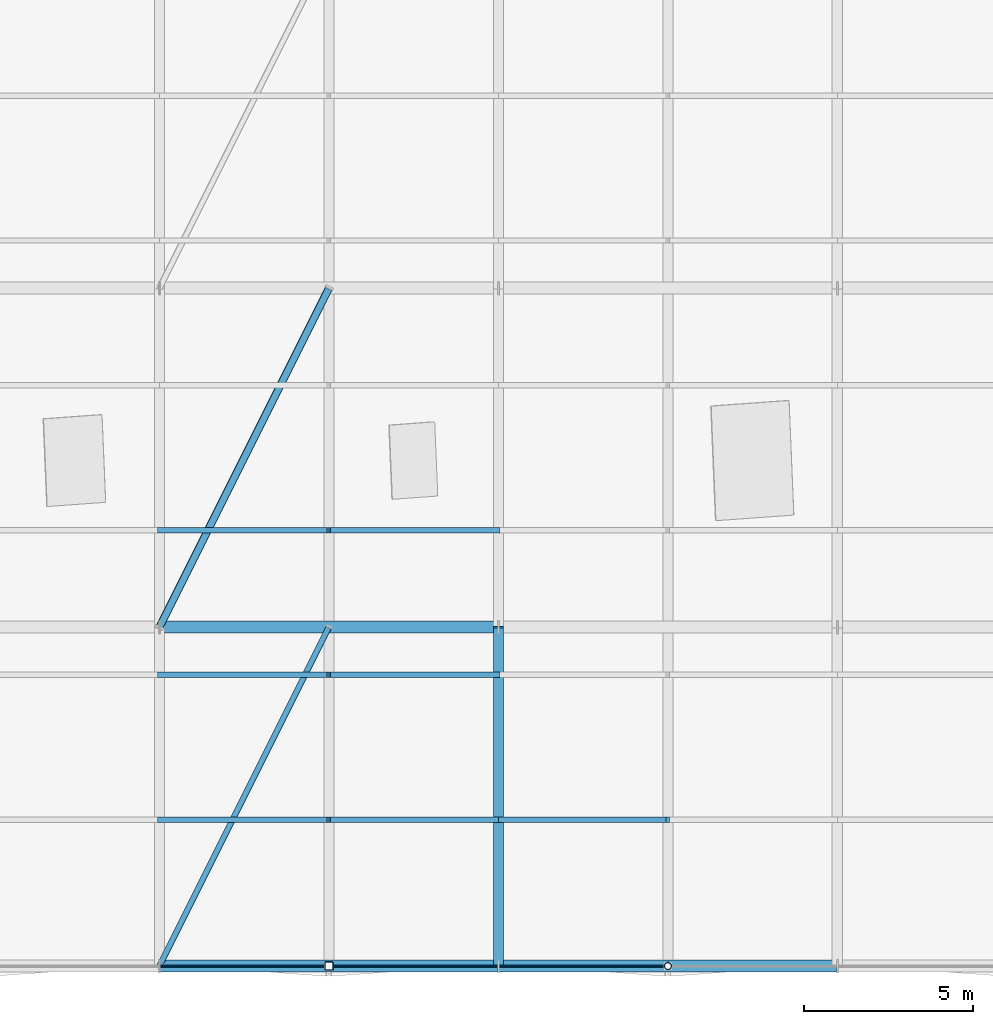
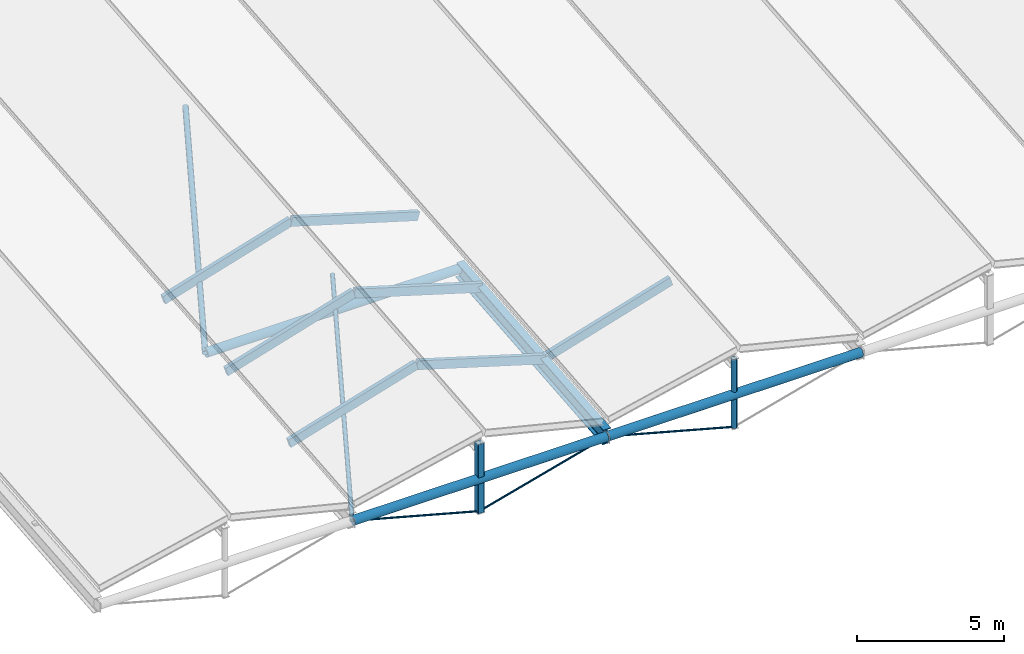
# One storey, part 13 of 90: 14 members, 4 beams.
"""IFC4 building model written with IfcOpenShell, lengths in metres."""

from ifc_helpers import new_model, si_unit, direction, frame, origin, origin_2d, place, context, subcontext, project, spatial, rectangle, hollow_rectangle, circle, hollow_circle, i_section, extrude, material, material_profile, profile_set, type_object, element, save


model = new_model("IFC4")

# Units and contexts
model_context = context("Model", 3, precision=1e-05, world=origin(), true_north=direction((0.0, 1.0)))
body_context = subcontext(model_context, "Body", "Model", "MODEL_VIEW")
ifc_project = project(units=[si_unit("LENGTHUNIT", "METRE"), si_unit("AREAUNIT", "SQUARE_METRE"), si_unit("VOLUMEUNIT", "CUBIC_METRE"), si_unit("PLANEANGLEUNIT", "RADIAN"), si_unit("MASSUNIT", "GRAM", prefix="KILO"), si_unit("THERMODYNAMICTEMPERATUREUNIT", "KELVIN"), si_unit("POWERUNIT", "WATT")], contexts=[model_context])

# Site, building, storey
site_placement = place(None, origin())
site = spatial("IfcSite", under=ifc_project, at=site_placement, CompositionType="ELEMENT")
building_placement = place(site_placement, origin())
building = spatial("IfcBuilding", under=site, at=building_placement, Name="Korenveer Ferry Terminal", CompositionType="ELEMENT")
storey_placement = place(building_placement, frame((0.0, 0.0, 22.199951171875)))
storey = spatial("IfcBuildingStorey", under=building, at=storey_placement, Name="RF", CompositionType="ELEMENT", Elevation=22.199951171875)

# Beam
ifc_material_1 = material(Name="Steel S355", Category="steel")
ifc_material_profile_1 = material_profile(ifc_material_1, i_section(OverallWidth=0.300048828125, OverallDepth=0.64990234375, WebThickness=0.01611328125, FlangeThickness=0.031005859375, FilletRadius=0.027099609375, at=origin_2d()), Name="HEB 650")
ifc_profile_set_1 = profile_set([ifc_material_profile_1], Name="Steel S355")
beam_type_1 = type_object("IfcBeamType", Name="STR-BM-HEB650", PredefinedType="BEAM", material=ifc_profile_set_1)
beam_placement = place(storey_placement, frame((73.0, 20.0, -11.401611328125), z_axis=(0.0, 0.995903364261, 0.090423940715), x_axis=(-1.0, 0.0, 0.0)))
element("IfcBeam", 1, at=beam_placement, inside=storey, type_object=beam_type_1, Name="Folded roof valley girder 28", PredefinedType="BEAM", context=body_context, shape_type="SweptSolid", body=[
    extrude(i_section(OverallWidth=0.300048828125, OverallDepth=0.64990234375, WebThickness=0.01611328125, FlangeThickness=0.031005859375, FilletRadius=0.027099609375, at=origin_2d()), origin(), (0.0, 0.0, 1.0), 10.041015625),
])

# Members
ifc_material_profile_2 = material_profile(ifc_material_1, hollow_circle(Radius=0.084228515625, WallThickness=0.010009765625, at=origin_2d()), Name="CHS 168.3x10")
ifc_profile_set_2 = profile_set([ifc_material_profile_2], Name="Steel S355")
member_type_1 = type_object("IfcMemberType", Name="STR-BRC-CHS168", PredefinedType="BRACE", material=ifc_profile_set_2)
member_1_placement = place(storey_placement, frame((63.0, 20.0, -11.401611328125), z_axis=(0.437110045644, 0.874220091289, 0.211362342872), x_axis=(-0.894427191, 0.4472135955, 0.0)))
element("IfcMember", 2, at=member_1_placement, inside=storey, type_object=member_type_1, Name="Roof wind brace BRCRF-B1-Y20", PredefinedType="BRACE", context=body_context, shape_type="SweptSolid", body=[
    extrude(hollow_circle(Radius=0.084228515625, WallThickness=0.010009765625, at=origin_2d()), origin(), (0.0, 0.0, 1.0), 11.438720703125),
])
ifc_material_profile_3 = material_profile(ifc_material_1, hollow_circle(Radius=0.109619140625, WallThickness=0.012451171875, at=origin_2d()), Name="CHS 219.1x12.5")
ifc_profile_set_3 = profile_set([ifc_material_profile_3], Name="Steel S355")
member_type_2 = type_object("IfcMemberType", Name="STR-BRC-CHS219", PredefinedType="BRACE", material=ifc_profile_set_3)
member_2_placement = place(storey_placement, frame((63.0, 30.0, -10.49365234375), z_axis=(0.437110045644, 0.874220091289, 0.211362342872), x_axis=(-0.894427191, 0.4472135955, 0.0)))
element("IfcMember", 3, at=member_2_placement, inside=storey, type_object=member_type_2, Name="Roof wind brace BRCRF-B1-Y30", PredefinedType="BRACE", context=body_context, shape_type="SweptSolid", body=[
    extrude(hollow_circle(Radius=0.109619140625, WallThickness=0.012451171875, at=origin_2d()), origin(), (0.0, 0.0, 1.0), 11.438720703125),
])
ifc_material_2 = material(Name="High-strength steel S460", Category="steel")
ifc_material_profile_4 = material_profile(ifc_material_2, circle(Radius=0.0380859375, at=origin_2d()), Name="ROD D76")
ifc_profile_set_4 = profile_set([ifc_material_profile_4], Name="High-strength steel S460")
member_type_3 = type_object("IfcMemberType", Name="STR-CBL-D76", PredefinedType="USERDEFINED", material=ifc_profile_set_4)
for number, where, z_axis, x_axis, name in (
    (4, (63.0, 20.0, -11.401611328125), (0.965424337217, 0.0, -0.260683426993), (0.0, 1.0, 0.0), "Roof tension tie cable 3"),
    (5, (73.0, 20.0, -11.401611328125), (-0.965424337217, 0.0, -0.260683426993), (0.0, -1.0, 0.0), "Roof tension tie cable 4"),
    (6, (73.0, 20.0, -11.401611328125), (0.965424337217, 0.0, -0.260683426993), (0.0, 1.0, 0.0), "Roof tension tie cable 5"),
):
    element("IfcMember", number, at=place(storey_placement, frame(where, z_axis=z_axis, x_axis=x_axis)), inside=storey, type_object=member_type_3, Name=name, ObjectType="CABLE", PredefinedType="USERDEFINED", context=body_context, shape_type="SweptSolid", body=[
        extrude(circle(Radius=0.0380859375, at=origin_2d()), origin(), (0.0, 0.0, 1.0), 5.178955078125),
    ])
ifc_material_3 = material(Name="Glulam GL28h", Category="wood")
ifc_material_profile_5 = material_profile(ifc_material_3, rectangle(XDim=0.159912109375, YDim=0.360107421875, at=origin_2d()), Name="GL 160x360")
ifc_profile_set_5 = profile_set([ifc_material_profile_5], Name="Glulam GL28h")
member_type_4 = type_object("IfcMemberType", Name="STR-PUR-GL160", PredefinedType="PURLIN", material=ifc_profile_set_5)
for number, where, z_axis, x_axis, name in (
    (7, (63.0, 24.321533203125, -10.787841796875), (0.957323074362, 0.0, 0.289019949647), (0.0, 1.0, 0.0), "Folded roof glulam purlin 37"),
    (8, (63.0, 28.5927734375, -10.400146484375), (0.957310140112, 0.0, 0.289062788401), (0.0, 1.0, 0.0), "Folded roof glulam purlin 38"),
    (9, (63.0, 32.8642578125, -10.01220703125), (0.957310140112, 0.0, 0.289062788401), (0.0, 1.0, 0.0), "Folded roof glulam purlin 39"),
    (10, (68.0, 24.321533203125, -9.2783203125), (0.957323074362, 0.0, -0.289019949647), (0.0, 1.0, 0.0), "Folded roof glulam purlin 43"),
    (11, (68.0, 28.5927734375, -8.890380859375), (0.957310140112, 0.0, -0.289062788401), (0.0, 1.0, 0.0), "Folded roof glulam purlin 44"),
    (12, (68.0, 32.8642578125, -8.50244140625), (0.957310140112, 0.0, -0.289062788401), (0.0, 1.0, 0.0), "Folded roof glulam purlin 45"),
    (13, (73.0, 24.321533203125, -10.787841796875), (0.957323074362, 0.0, 0.289019949647), (0.0, 1.0, 0.0), "Folded roof glulam purlin 73"),
):
    element("IfcMember", number, at=place(storey_placement, frame(where, z_axis=z_axis, x_axis=x_axis)), inside=storey, type_object=member_type_4, Name=name, PredefinedType="PURLIN", context=body_context, shape_type="SweptSolid", body=[
        extrude(rectangle(XDim=0.159912109375, YDim=0.360107421875, at=origin_2d()), origin(), (0.0, 0.0, 1.0), 5.222900390625),
    ])

# Beams
ifc_material_profile_6 = material_profile(ifc_material_1, hollow_circle(Radius=0.177734375, WallThickness=0.01611328125, at=origin_2d()), Name="CHS 355.6x16")
ifc_profile_set_6 = profile_set([ifc_material_profile_6], Name="Steel S355")
beam_type_2 = type_object("IfcBeamType", Name="STR-RFG-CHS355", PredefinedType="USERDEFINED", material=ifc_profile_set_6)
for number, where, z_axis, x_axis, name in (
    (14, (63.02001953125, 20.0, -11.401611328125), (1.0, 0.0, 0.0), (0.0, 1.0, 0.0), "Roof transverse tie girder 76"),
    (15, (73.02001953125, 20.0, -11.401611328125), (1.0, 0.0, 0.0), (0.0, 1.0, 0.0), "Roof transverse tie girder 77"),
    (16, (63.02001953125, 30.0, -10.49365234375), (1.0, 0.0, 0.0), (0.0, 1.0, 0.0), "Roof transverse tie girder 83"),
):
    element("IfcBeam", number, at=place(storey_placement, frame(where, z_axis=z_axis, x_axis=x_axis)), inside=storey, type_object=beam_type_2, Name=name, ObjectType="ROOF GIRDER", PredefinedType="USERDEFINED", context=body_context, shape_type="SweptSolid", body=[
        extrude(hollow_circle(Radius=0.177734375, WallThickness=0.01611328125, at=origin_2d()), origin(), (0.0, 0.0, 1.0), 9.9599609375),
    ])

# Members
ifc_material_profile_7 = material_profile(ifc_material_1, hollow_circle(Radius=0.109619140625, WallThickness=0.012451171875, at=origin_2d()), Name="CHS 219.1x12.5")
ifc_profile_set_7 = profile_set([ifc_material_profile_7], Name="Steel S355")
member_type_5 = type_object("IfcMemberType", Name="STR-STT-CHS219", PredefinedType="STRUT", material=ifc_profile_set_7)
member_3_placement = place(storey_placement, frame((78.0, 20.0, -12.751708984375), z_axis=(0.0, 0.0, 1.0), x_axis=(1.0, 0.0, 0.0)))
element("IfcMember", 17, at=member_3_placement, inside=storey, type_object=member_type_5, Name="Roof king-post strut STTKP-Y20-B2", PredefinedType="STRUT", context=body_context, shape_type="SweptSolid", body=[
    extrude(hollow_circle(Radius=0.109619140625, WallThickness=0.012451171875, at=origin_2d()), origin(), (0.0, 0.0, 1.0), 2.85986328125),
])
ifc_material_profile_8 = material_profile(ifc_material_1, hollow_rectangle(XDim=0.25, YDim=0.25, WallThickness=0.012451171875, InnerFilletRadius=0.012451171875, OuterFilletRadius=0.018798828125, at=origin_2d()), Name="SHS 250x250x12.5")
ifc_profile_set_8 = profile_set([ifc_material_profile_8], Name="Steel S355")
member_type_6 = type_object("IfcMemberType", Name="STR-STT-SHS250", PredefinedType="STRUT", material=ifc_profile_set_8)
member_4_placement = place(storey_placement, frame((68.0, 20.0, -12.751708984375), z_axis=(0.0, 0.0, 1.0), x_axis=(1.0, 0.0, 0.0)))
element("IfcMember", 18, at=member_4_placement, inside=storey, type_object=member_type_6, Name="Roof king-post strut STTKP-Y20-B1", PredefinedType="STRUT", context=body_context, shape_type="SweptSolid", body=[
    extrude(hollow_rectangle(XDim=0.25, YDim=0.25, WallThickness=0.012451171875, InnerFilletRadius=0.012451171875, OuterFilletRadius=0.018798828125, at=origin_2d()), origin(), (0.0, 0.0, 1.0), 2.85986328125),
])

save(model, "model.ifc")
